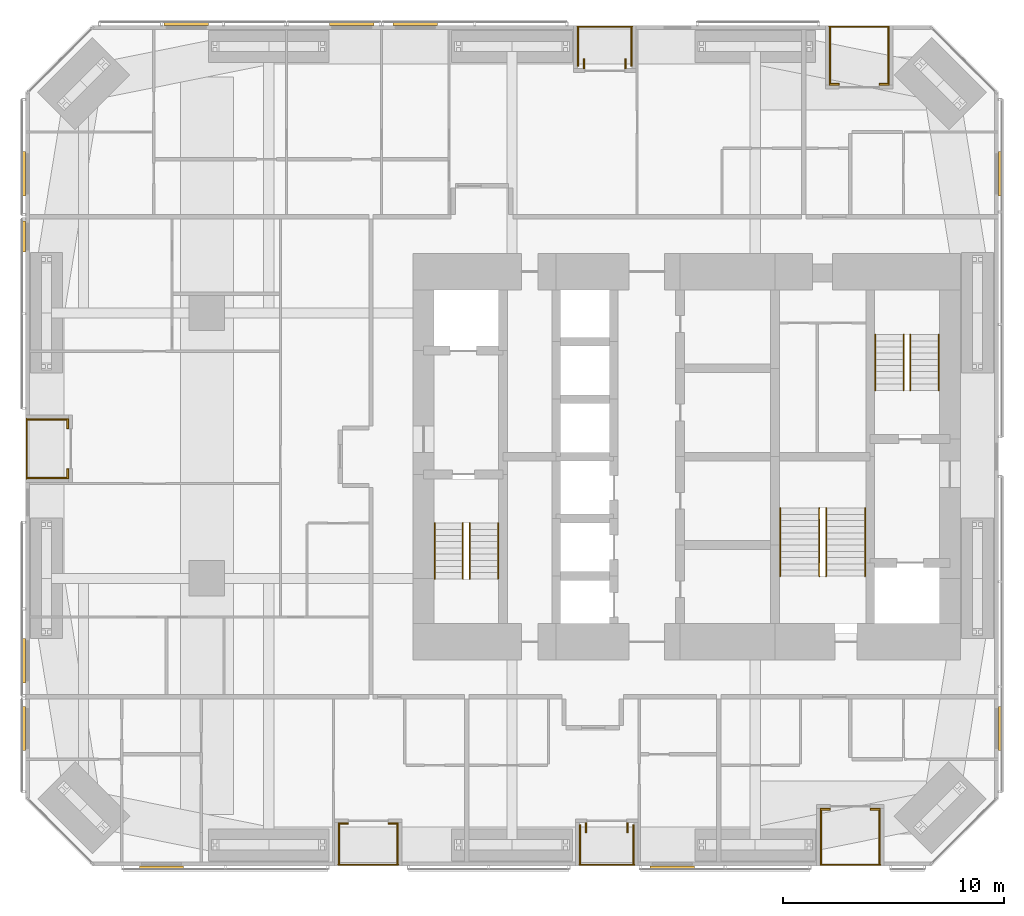
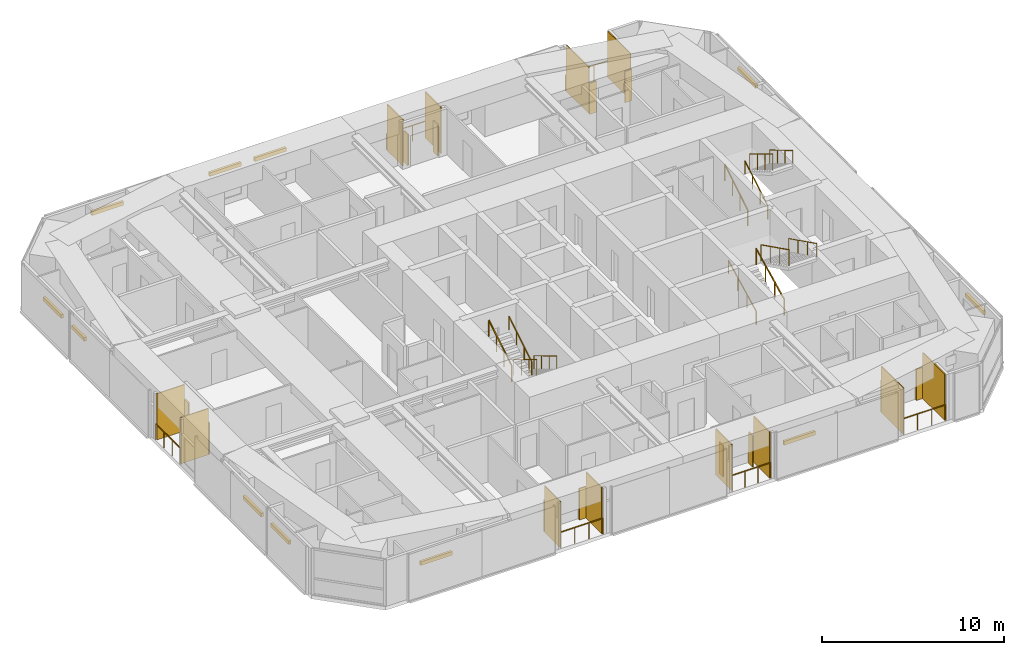
# One storey, part 23 of 23: 35 shading devices, 18 railings.
"""IFC4 building model written with IfcOpenShell, lengths in metres."""

from ifc_helpers import new_model, si_unit, direction, frame, origin, origin_2d, place, context, subcontext, project, spatial, rectangle, circle, extrude, material, layer, layer_set, constituent, constituent_set, type_object, element, save


model = new_model("IFC4")

# Units and contexts
model_context = context("Model", 3, precision=1e-05, world=origin(), true_north=direction((0.0, 1.0)))
body_context = subcontext(model_context, "Body", "Model", "MODEL_VIEW")
ifc_project = project(units=[si_unit("LENGTHUNIT", "METRE"), si_unit("AREAUNIT", "SQUARE_METRE"), si_unit("VOLUMEUNIT", "CUBIC_METRE"), si_unit("PLANEANGLEUNIT", "RADIAN"), si_unit("MASSUNIT", "GRAM", prefix="KILO")], contexts=[model_context])

# Site, building, storey
site_placement = place(None, origin())
site = spatial("IfcSite", under=ifc_project, at=site_placement, CompositionType="ELEMENT")
building_placement = place(site_placement, origin())
building = spatial("IfcBuilding", under=site, at=building_placement, Name="Jalousie Tower", CompositionType="ELEMENT")
storey_placement = place(building_placement, frame((0.0, 0.0, 24.35009765625)))
storey = spatial("IfcBuildingStorey", under=building, at=storey_placement, Name="L05", CompositionType="ELEMENT", Elevation=24.35009765625)

# Shading devices
ifc_material_1 = material(Name="Aluminium impact-rated louvred storm shutter", Category="aluminium")
shading_device_type_1 = type_object("IfcShadingDeviceType", Name="BI-FOLD STORM SHUTTER 900x2100", PredefinedType="SHUTTER", material=ifc_material_1)
for number, where, z_axis, x_axis, name in (
    (1, (16.375, 1.909912109375, -0.000244140625), (0.0, 0.0, 1.0), (1.0, 0.0, 0.0), "Loggia storm shutter L05"),
    (2, (18.625, 1.909912109375, -0.000244140625), (0.0, 0.0, 1.0), (1.0, 0.0, 0.0), "Loggia storm shutter L05"),
    (3, (27.347412109375, 1.72509765625, -0.000244140625), (0.0, 0.0, 1.0), (0.0, 1.0, 0.0), "Loggia storm shutter L05"),
    (4, (29.2275390625, 1.72509765625, -0.000244140625), (0.0, 0.0, 1.0), (0.0, 1.0, 0.0), "Loggia storm shutter L05"),
    (5, (38.175048828125, 2.56005859375, -0.000244140625), (0.0, 0.0, 1.0), (1.0, 0.0, 0.0), "Loggia storm shutter L05"),
    (6, (40.425048828125, 2.56005859375, -0.000244140625), (0.0, 0.0, 1.0), (1.0, 0.0, 0.0), "Loggia storm shutter L05"),
    (7, (40.82373046875, 35.340087890625, -0.000244140625), (0.0, 0.0, 1.0), (-1.0, 0.0, 0.0), "Loggia storm shutter L05"),
    (8, (38.57373046875, 35.340087890625, -0.000244140625), (0.0, 0.0, 1.0), (-1.0, 0.0, 0.0), "Loggia storm shutter L05"),
    (9, (29.1357421875, 36.27490234375, -0.000244140625), (0.0, 0.0, 1.0), (0.0, -1.0, 0.0), "Loggia storm shutter L05"),
    (10, (27.255615234375, 36.27490234375, -0.000244140625), (0.0, 0.0, 1.0), (0.0, -1.0, 0.0), "Loggia storm shutter L05"),
    (11, (3.909912109375, 19.987548828125, -0.000244140625), (0.0, 0.0, 1.0), (0.0, -1.0, 0.0), "Loggia storm shutter L05"),
    (12, (3.909912109375, 17.737548828125, -0.000244140625), (0.0, 0.0, 1.0), (0.0, -1.0, 0.0), "Loggia storm shutter L05"),
):
    element("IfcShadingDevice", number, at=place(storey_placement, frame(where, z_axis=z_axis, x_axis=x_axis)), inside=storey, type_object=shading_device_type_1, Name=name, PredefinedType="SHUTTER", context=body_context, shape_type="SweptSolid", body=[
        extrude(rectangle(XDim=0.449951171875, YDim=0.080078125, at=origin_2d()), origin(), (0.0, 0.0, 1.0), 2.10009765625),
    ])

# Railings
ifc_material_2 = material(Name="Powder-coated aluminium fretwork", Category="aluminium")
railing_type_1 = type_object("IfcRailingType", Name="FRETWORK BALUSTRADE 1100", PredefinedType="BALUSTRADE", material=ifc_material_2)
railing_1_placement = place(storey_placement, frame((16.14990234375, 0.050048828125, 0.0)))
element("IfcRailing", 13, at=railing_1_placement, inside=storey, type_object=railing_type_1, Name="Loggia fretwork balustrade L05", PredefinedType="BALUSTRADE", context=body_context, shape_type="SweptSolid", body=[
    extrude(rectangle(XDim=0.048095703125, YDim=0.048095703125, at=origin_2d()), frame((0.0, 0.0, 1.076171875), z_axis=(1.0, 0.0, 0.0), x_axis=(0.0, 1.0, 0.0)), (0.0, 0.0, 1.0), 2.7001953125),
    extrude(circle(Radius=0.02099609375, at=origin_2d()), origin(), (0.0, 0.0, 1.0), 1.052001953125),
    extrude(circle(Radius=0.02099609375, at=origin_2d()), frame((0.900146484375, 0.0, 0.0)), (0.0, 0.0, 1.0), 1.052001953125),
    extrude(circle(Radius=0.02099609375, at=origin_2d()), frame((1.800048828125, 0.0, 0.0)), (0.0, 0.0, 1.0), 1.052001953125),
    extrude(circle(Radius=0.02099609375, at=origin_2d()), frame((2.7001953125, 0.0, 0.0)), (0.0, 0.0, 1.0), 1.052001953125),
])
railing_2_placement = place(storey_placement, frame((27.050048828125, 0.050048828125, 0.0)))
element("IfcRailing", 14, at=railing_2_placement, inside=storey, type_object=railing_type_1, Name="Loggia fretwork balustrade L05", PredefinedType="BALUSTRADE", context=body_context, shape_type="SweptSolid", body=[
    extrude(rectangle(XDim=0.048095703125, YDim=0.048095703125, at=origin_2d()), frame((0.0, 0.0, 1.076171875), z_axis=(1.0, 0.0, 0.0), x_axis=(0.0, 1.0, 0.0)), (0.0, 0.0, 1.0), 2.474853515625),
    extrude(circle(Radius=0.02099609375, at=origin_2d()), origin(), (0.0, 0.0, 1.0), 1.052001953125),
    extrude(circle(Radius=0.02099609375, at=origin_2d()), frame((0.824951171875, 0.0, 0.0)), (0.0, 0.0, 1.0), 1.052001953125),
    extrude(circle(Radius=0.02099609375, at=origin_2d()), frame((1.64990234375, 0.0, 0.0)), (0.0, 0.0, 1.0), 1.052001953125),
    extrude(circle(Radius=0.02099609375, at=origin_2d()), frame((2.474853515625, 0.0, 0.0)), (0.0, 0.0, 1.0), 1.052001953125),
])
railing_3_placement = place(storey_placement, frame((37.949951171875, 0.050048828125, 0.0)))
element("IfcRailing", 15, at=railing_3_placement, inside=storey, type_object=railing_type_1, Name="Loggia fretwork balustrade L05", PredefinedType="BALUSTRADE", context=body_context, shape_type="SweptSolid", body=[
    extrude(rectangle(XDim=0.048095703125, YDim=0.048095703125, at=origin_2d()), frame((0.0, 0.0, 1.076171875), z_axis=(1.0, 0.0, 0.0), x_axis=(0.0, 1.0, 0.0)), (0.0, 0.0, 1.0), 2.699951171875),
    extrude(circle(Radius=0.02099609375, at=origin_2d()), origin(), (0.0, 0.0, 1.0), 1.052001953125),
    extrude(circle(Radius=0.02099609375, at=origin_2d()), frame((0.89990234375, 0.0, 0.0)), (0.0, 0.0, 1.0), 1.052001953125),
    extrude(circle(Radius=0.02099609375, at=origin_2d()), frame((1.800048828125, 0.0, 0.0)), (0.0, 0.0, 1.0), 1.052001953125),
    extrude(circle(Radius=0.02099609375, at=origin_2d()), frame((2.699951171875, 0.0, 0.0)), (0.0, 0.0, 1.0), 1.052001953125),
])
railing_4_placement = place(storey_placement, frame((41.048583984375, 37.949951171875, 0.0)))
element("IfcRailing", 16, at=railing_4_placement, inside=storey, type_object=railing_type_1, Name="Loggia fretwork balustrade L05", PredefinedType="BALUSTRADE", context=body_context, shape_type="SweptSolid", body=[
    extrude(rectangle(XDim=0.048095703125, YDim=0.048095703125, at=origin_2d()), frame((0.0, 0.0, 1.076171875), z_axis=(-1.0, 0.0, 0.0), x_axis=(0.0, -1.0, 0.0)), (0.0, 0.0, 1.0), 2.699951171875),
    extrude(circle(Radius=0.02099609375, at=origin_2d()), origin(), (0.0, 0.0, 1.0), 1.052001953125),
    extrude(circle(Radius=0.02099609375, at=origin_2d()), frame((-0.89990234375, 0.0, 0.0)), (0.0, 0.0, 1.0), 1.052001953125),
    extrude(circle(Radius=0.02099609375, at=origin_2d()), frame((-1.800048828125, 0.0, 0.0)), (0.0, 0.0, 1.0), 1.052001953125),
    extrude(circle(Radius=0.02099609375, at=origin_2d()), frame((-2.699951171875, 0.0, 0.0)), (0.0, 0.0, 1.0), 1.052001953125),
])
railing_5_placement = place(storey_placement, frame((29.43310546875, 37.949951171875, 0.0)))
element("IfcRailing", 17, at=railing_5_placement, inside=storey, type_object=railing_type_1, Name="Loggia fretwork balustrade L05", PredefinedType="BALUSTRADE", context=body_context, shape_type="SweptSolid", body=[
    extrude(rectangle(XDim=0.048095703125, YDim=0.048095703125, at=origin_2d()), frame((0.0, 0.0, 1.076171875), z_axis=(-1.0, 0.0, 0.0), x_axis=(0.0, -1.0, 0.0)), (0.0, 0.0, 1.0), 2.474853515625),
    extrude(circle(Radius=0.02099609375, at=origin_2d()), origin(), (0.0, 0.0, 1.0), 1.052001953125),
    extrude(circle(Radius=0.02099609375, at=origin_2d()), frame((-0.824951171875, 0.0, 0.0)), (0.0, 0.0, 1.0), 1.052001953125),
    extrude(circle(Radius=0.02099609375, at=origin_2d()), frame((-1.64990234375, 0.0, 0.0)), (0.0, 0.0, 1.0), 1.052001953125),
    extrude(circle(Radius=0.02099609375, at=origin_2d()), frame((-2.474853515625, 0.0, 0.0)), (0.0, 0.0, 1.0), 1.052001953125),
])
railing_6_placement = place(storey_placement, frame((2.050048828125, 20.216796875, 0.0)))
element("IfcRailing", 18, at=railing_6_placement, inside=storey, type_object=railing_type_1, Name="Loggia fretwork balustrade L05", PredefinedType="BALUSTRADE", context=body_context, shape_type="SweptSolid", body=[
    extrude(rectangle(XDim=0.048095703125, YDim=0.048095703125, at=origin_2d()), frame((0.0, 0.0, 1.076171875), z_axis=(0.0, -1.0, 0.0), x_axis=(1.0, 0.0, 0.0)), (0.0, 0.0, 1.0), 2.70849609375),
    extrude(circle(Radius=0.02099609375, at=origin_2d()), origin(), (0.0, 0.0, 1.0), 1.052001953125),
    extrude(circle(Radius=0.02099609375, at=origin_2d()), frame((0.0, -0.90283203125, 0.0)), (0.0, 0.0, 1.0), 1.052001953125),
    extrude(circle(Radius=0.02099609375, at=origin_2d()), frame((0.0, -1.8056640625, 0.0)), (0.0, 0.0, 1.0), 1.052001953125),
    extrude(circle(Radius=0.02099609375, at=origin_2d()), frame((0.0, -2.70849609375, 0.0)), (0.0, 0.0, 1.0), 1.052001953125),
])

# Shading devices
ifc_material_3 = material(Name="Powder-coated aluminium louvres", Category="aluminium")
ifc_layer = layer(ifc_material_3, 0.06005859375)
ifc_layer_set = layer_set([ifc_layer], Name="Powder-coated aluminium louvres")
shading_device_type_2 = type_object("IfcShadingDeviceType", Name="JALOUSIE LOUVRE SCREEN", PredefinedType="JALOUSIE", material=ifc_layer_set)
for number, where, z_axis, x_axis, name in (
    (19, (16.179931640625, 0.97509765625, 0.0), (0.0, 0.0, 1.0), (1.0, 0.0, 0.0), "Loggia jalousie louvre screen L05"),
    (20, (18.820068359375, 0.97509765625, 0.0), (0.0, 0.0, 1.0), (1.0, 0.0, 0.0), "Loggia jalousie louvre screen L05"),
    (21, (27.080078125, 0.97509765625, 0.0), (0.0, 0.0, 1.0), (1.0, 0.0, 0.0), "Loggia jalousie louvre screen L05"),
    (22, (29.4951171875, 0.97509765625, 0.0), (0.0, 0.0, 1.0), (1.0, 0.0, 0.0), "Loggia jalousie louvre screen L05"),
):
    element("IfcShadingDevice", number, at=place(storey_placement, frame(where, z_axis=z_axis, x_axis=x_axis)), inside=storey, type_object=shading_device_type_2, Name=name, PredefinedType="JALOUSIE", context=body_context, shape_type="SweptSolid", body=[
        extrude(rectangle(XDim=0.06005859375, YDim=1.75, at=origin_2d()), origin(), (0.0, 0.0, 1.0), 3.110107421875),
    ])
for number, where, z_axis, x_axis, name in (
    (23, (37.97998046875, 1.300048828125, 0.0), (0.0, 0.0, 1.0), (1.0, 0.0, 0.0), "Loggia jalousie louvre screen L05"),
    (24, (40.6201171875, 1.300048828125, 0.0), (0.0, 0.0, 1.0), (1.0, 0.0, 0.0), "Loggia jalousie louvre screen L05"),
):
    element("IfcShadingDevice", number, at=place(storey_placement, frame(where, z_axis=z_axis, x_axis=x_axis)), inside=storey, type_object=shading_device_type_2, Name=name, PredefinedType="JALOUSIE", context=body_context, shape_type="SweptSolid", body=[
        extrude(rectangle(XDim=0.06005859375, YDim=2.39990234375, at=origin_2d()), origin(), (0.0, 0.0, 1.0), 3.110107421875),
    ])
for number, where, z_axis, x_axis, name in (
    (25, (41.018798828125, 36.64990234375, 0.0), (0.0, 0.0, 1.0), (-1.0, 0.0, 0.0), "Loggia jalousie louvre screen L05"),
    (26, (38.378662109375, 36.64990234375, 0.0), (0.0, 0.0, 1.0), (-1.0, 0.0, 0.0), "Loggia jalousie louvre screen L05"),
):
    element("IfcShadingDevice", number, at=place(storey_placement, frame(where, z_axis=z_axis, x_axis=x_axis)), inside=storey, type_object=shading_device_type_2, Name=name, PredefinedType="JALOUSIE", context=body_context, shape_type="SweptSolid", body=[
        extrude(rectangle(XDim=0.06005859375, YDim=2.5, at=origin_2d()), origin(), (0.0, 0.0, 1.0), 3.110107421875),
    ])
for number, where, z_axis, x_axis, name in (
    (27, (29.4033203125, 37.02490234375, 0.0), (0.0, 0.0, 1.0), (-1.0, 0.0, 0.0), "Loggia jalousie louvre screen L05"),
    (28, (26.98828125, 37.02490234375, 0.0), (0.0, 0.0, 1.0), (-1.0, 0.0, 0.0), "Loggia jalousie louvre screen L05"),
    (29, (2.97509765625, 20.186767578125, 0.0), (0.0, 0.0, 1.0), (0.0, -1.0, 0.0), "Loggia jalousie louvre screen L05"),
    (30, (2.97509765625, 17.538330078125, 0.0), (0.0, 0.0, 1.0), (0.0, -1.0, 0.0), "Loggia jalousie louvre screen L05"),
):
    element("IfcShadingDevice", number, at=place(storey_placement, frame(where, z_axis=z_axis, x_axis=x_axis)), inside=storey, type_object=shading_device_type_2, Name=name, PredefinedType="JALOUSIE", context=body_context, shape_type="SweptSolid", body=[
        extrude(rectangle(XDim=0.06005859375, YDim=1.75, at=origin_2d()), origin(), (0.0, 0.0, 1.0), 3.110107421875),
    ])

# Railings
ifc_material_4 = material(Name="Steel ASTM A500 Grade C", Category="steel")
ifc_constituent_1 = constituent(ifc_material_4, Name="Body")
ifc_material_5 = material(Name="Hot-dip galvanised zinc coating")
ifc_constituent_2 = constituent(ifc_material_5, Name="Finish")
ifc_constituent_set_1 = constituent_set(constituents=[ifc_constituent_1, ifc_constituent_2])
railing_type_2 = type_object("IfcRailingType", Name="STAIR GUARD 1100", PredefinedType="GUARDRAIL", material=ifc_constituent_set_1)
railing_7_placement = place(storey_placement, frame((22.092529296875, 15.49755859375, 0.16748046875)))
element("IfcRailing", 31, at=railing_7_placement, inside=storey, type_object=railing_type_2, Name="Exit stair A guard L05 flight 1", PredefinedType="GUARDRAIL", context=body_context, shape_type="SweptSolid", body=[
    extrude(rectangle(XDim=0.048095703125, YDim=0.048095703125, at=origin_2d()), frame((0.0, 0.0, 1.076171875), z_axis=(0.0, -0.858196387827, 0.513321497621), x_axis=(1.0, 0.0, 0.0)), (0.0, 0.0, 1.0), 2.9365234375),
    extrude(circle(Radius=0.02099609375, at=origin_2d()), origin(), (0.0, 0.0, 1.0), 1.052001953125),
    extrude(circle(Radius=0.02099609375, at=origin_2d()), frame((0.0, -0.840087890625, 0.50244140625)), (0.0, 0.0, 1.0), 1.052001953125),
    extrude(circle(Radius=0.02099609375, at=origin_2d()), frame((0.0, -1.679931640625, 1.0048828125)), (0.0, 0.0, 1.0), 1.052001953125),
    extrude(circle(Radius=0.02099609375, at=origin_2d()), frame((0.0, -2.52001953125, 1.50732421875)), (0.0, 0.0, 1.0), 1.052001953125),
])
railing_8_placement = place(storey_placement, frame((20.5048828125, 12.9775390625, 1.84228515625)))
element("IfcRailing", 32, at=railing_8_placement, inside=storey, type_object=railing_type_2, Name="Exit stair A guard L05 flight 2", PredefinedType="GUARDRAIL", context=body_context, shape_type="SweptSolid", body=[
    extrude(rectangle(XDim=0.048095703125, YDim=0.048095703125, at=origin_2d()), frame((0.0, 0.0, 1.076171875), z_axis=(0.0, 0.858159760407, 0.513382728203), x_axis=(-1.0, 0.0, 0.0)), (0.0, 0.0, 1.0), 2.9365234375),
    extrude(circle(Radius=0.02099609375, at=origin_2d()), origin(), (0.0, 0.0, 1.0), 1.052001953125),
    extrude(circle(Radius=0.02099609375, at=origin_2d()), frame((0.0, 0.840087890625, 0.50244140625)), (0.0, 0.0, 1.0), 1.052001953125),
    extrude(circle(Radius=0.02099609375, at=origin_2d()), frame((0.0, 1.679931640625, 1.005126953125)), (0.0, 0.0, 1.0), 1.052001953125),
    extrude(circle(Radius=0.02099609375, at=origin_2d()), frame((0.0, 2.52001953125, 1.507568359375)), (0.0, 0.0, 1.0), 1.052001953125),
])
railing_9_placement = place(storey_placement, frame((40.43017578125, 21.50244140625, 0.16748046875)))
element("IfcRailing", 33, at=railing_9_placement, inside=storey, type_object=railing_type_2, Name="Exit stair B guard L05 flight 1", PredefinedType="GUARDRAIL", context=body_context, shape_type="SweptSolid", body=[
    extrude(rectangle(XDim=0.048095703125, YDim=0.048095703125, at=origin_2d()), frame((0.0, 0.0, 1.076171875), z_axis=(0.0, 0.858196387827, 0.513321497621), x_axis=(-1.0, 0.0, 0.0)), (0.0, 0.0, 1.0), 2.9365234375),
    extrude(circle(Radius=0.02099609375, at=origin_2d()), origin(), (0.0, 0.0, 1.0), 1.052001953125),
    extrude(circle(Radius=0.02099609375, at=origin_2d()), frame((0.0, 0.840087890625, 0.50244140625)), (0.0, 0.0, 1.0), 1.052001953125),
    extrude(circle(Radius=0.02099609375, at=origin_2d()), frame((0.0, 1.679931640625, 1.0048828125)), (0.0, 0.0, 1.0), 1.052001953125),
    extrude(circle(Radius=0.02099609375, at=origin_2d()), frame((0.0, 2.52001953125, 1.50732421875)), (0.0, 0.0, 1.0), 1.052001953125),
])
railing_10_placement = place(storey_placement, frame((42.017578125, 24.0224609375, 1.84228515625)))
element("IfcRailing", 34, at=railing_10_placement, inside=storey, type_object=railing_type_2, Name="Exit stair B guard L05 flight 2", PredefinedType="GUARDRAIL", context=body_context, shape_type="SweptSolid", body=[
    extrude(rectangle(XDim=0.048095703125, YDim=0.048095703125, at=origin_2d()), frame((0.0, 0.0, 1.076171875), z_axis=(0.0, -0.858159760407, 0.513382728203), x_axis=(1.0, 0.0, 0.0)), (0.0, 0.0, 1.0), 2.9365234375),
    extrude(circle(Radius=0.02099609375, at=origin_2d()), origin(), (0.0, 0.0, 1.0), 1.052001953125),
    extrude(circle(Radius=0.02099609375, at=origin_2d()), frame((0.0, -0.840087890625, 0.50244140625)), (0.0, 0.0, 1.0), 1.052001953125),
    extrude(circle(Radius=0.02099609375, at=origin_2d()), frame((0.0, -1.679931640625, 1.005126953125)), (0.0, 0.0, 1.0), 1.052001953125),
    extrude(circle(Radius=0.02099609375, at=origin_2d()), frame((0.0, -2.52001953125, 1.507568359375)), (0.0, 0.0, 1.0), 1.052001953125),
])
railing_11_placement = place(storey_placement, frame((37.89501953125, 13.097412109375, 0.139404296875)))
element("IfcRailing", 35, at=railing_11_placement, inside=storey, type_object=railing_type_2, Name="Exit stair C guard L05 flight 1", PredefinedType="GUARDRAIL", context=body_context, shape_type="SweptSolid", body=[
    extrude(rectangle(XDim=0.048095703125, YDim=0.048095703125, at=origin_2d()), frame((0.0, 0.0, 1.076171875), z_axis=(0.0, 0.894965676997, 0.446134998624), x_axis=(-1.0, 0.0, 0.0)), (0.0, 0.0, 1.0), 3.441650390625),
    extrude(circle(Radius=0.02099609375, at=origin_2d()), origin(), (0.0, 0.0, 1.0), 1.052001953125),
    extrude(circle(Radius=0.02099609375, at=origin_2d()), frame((0.0, 1.026611328125, 0.51171875)), (0.0, 0.0, 1.0), 1.052001953125),
    extrude(circle(Radius=0.02099609375, at=origin_2d()), frame((0.0, 2.053466796875, 1.023681640625)), (0.0, 0.0, 1.0), 1.052001953125),
    extrude(circle(Radius=0.02099609375, at=origin_2d()), frame((0.0, 3.080078125, 1.535400390625)), (0.0, 0.0, 1.0), 1.052001953125),
])
railing_12_placement = place(storey_placement, frame((38.205078125, 16.177490234375, 1.814453125)))
element("IfcRailing", 36, at=railing_12_placement, inside=storey, type_object=railing_type_2, Name="Exit stair C guard L05 flight 2", PredefinedType="GUARDRAIL", context=body_context, shape_type="SweptSolid", body=[
    extrude(rectangle(XDim=0.048095703125, YDim=0.048095703125, at=origin_2d()), frame((0.0, 0.0, 1.076171875), z_axis=(0.0, -0.894965676997, 0.446134998624), x_axis=(1.0, 0.0, 0.0)), (0.0, 0.0, 1.0), 3.441650390625),
    extrude(circle(Radius=0.02099609375, at=origin_2d()), origin(), (0.0, 0.0, 1.0), 1.052001953125),
    extrude(circle(Radius=0.02099609375, at=origin_2d()), frame((0.0, -1.026611328125, 0.51171875)), (0.0, 0.0, 1.0), 1.052001953125),
    extrude(circle(Radius=0.02099609375, at=origin_2d()), frame((0.0, -2.053466796875, 1.023681640625)), (0.0, 0.0, 1.0), 1.052001953125),
    extrude(circle(Radius=0.02099609375, at=origin_2d()), frame((0.0, -3.080078125, 1.535400390625)), (0.0, 0.0, 1.0), 1.052001953125),
])
ifc_material_6 = material(Name="Steel ASTM A500 Grade C", Category="steel")
ifc_constituent_3 = constituent(ifc_material_6, Name="Body")
ifc_material_7 = material(Name="Hot-dip galvanised zinc coating")
ifc_constituent_4 = constituent(ifc_material_7, Name="Finish")
ifc_constituent_set_2 = constituent_set(constituents=[ifc_constituent_3, ifc_constituent_4])
railing_type_3 = type_object("IfcRailingType", Name="STAIR HANDRAIL 900", PredefinedType="HANDRAIL", material=ifc_constituent_set_2)
railing_13_placement = place(storey_placement, frame((23.3701171875, 15.49755859375, 0.16748046875)))
element("IfcRailing", 37, at=railing_13_placement, inside=storey, type_object=railing_type_3, Name="Exit stair A handrail L05 flight 1", PredefinedType="HANDRAIL", context=body_context, shape_type="SweptSolid", body=[
    extrude(circle(Radius=0.02392578125, at=origin_2d()), frame((0.0, 0.0, 0.8759765625), z_axis=(0.0, -0.858196387827, 0.513321497621), x_axis=(1.0, 0.0, 0.0)), (0.0, 0.0, 1.0), 2.9365234375),
    extrude(circle(Radius=0.02099609375, at=origin_2d()), origin(), (0.0, 0.0, 1.0), 0.851806640625),
    extrude(circle(Radius=0.02099609375, at=origin_2d()), frame((0.0, -0.840087890625, 0.50244140625)), (0.0, 0.0, 1.0), 0.851806640625),
    extrude(circle(Radius=0.02099609375, at=origin_2d()), frame((0.0, -1.679931640625, 1.0048828125)), (0.0, 0.0, 1.0), 0.851806640625),
    extrude(circle(Radius=0.02099609375, at=origin_2d()), frame((0.0, -2.52001953125, 1.50732421875)), (0.0, 0.0, 1.0), 0.851806640625),
])
railing_14_placement = place(storey_placement, frame((21.78271484375, 12.9775390625, 1.84228515625)))
element("IfcRailing", 38, at=railing_14_placement, inside=storey, type_object=railing_type_3, Name="Exit stair A handrail L05 flight 2", PredefinedType="HANDRAIL", context=body_context, shape_type="SweptSolid", body=[
    extrude(circle(Radius=0.02392578125, at=origin_2d()), frame((0.0, 0.0, 0.8759765625), z_axis=(0.0, 0.858159760407, 0.513382728203), x_axis=(-1.0, 0.0, 0.0)), (0.0, 0.0, 1.0), 2.9365234375),
    extrude(circle(Radius=0.02099609375, at=origin_2d()), origin(), (0.0, 0.0, 1.0), 0.851806640625),
    extrude(circle(Radius=0.02099609375, at=origin_2d()), frame((0.0, 0.840087890625, 0.50244140625)), (0.0, 0.0, 1.0), 0.851806640625),
    extrude(circle(Radius=0.02099609375, at=origin_2d()), frame((0.0, 1.679931640625, 1.005126953125)), (0.0, 0.0, 1.0), 0.851806640625),
    extrude(circle(Radius=0.02099609375, at=origin_2d()), frame((0.0, 2.52001953125, 1.507568359375)), (0.0, 0.0, 1.0), 0.851806640625),
])
railing_15_placement = place(storey_placement, frame((41.70751953125, 21.50244140625, 0.16748046875)))
element("IfcRailing", 39, at=railing_15_placement, inside=storey, type_object=railing_type_3, Name="Exit stair B handrail L05 flight 1", PredefinedType="HANDRAIL", context=body_context, shape_type="SweptSolid", body=[
    extrude(circle(Radius=0.02392578125, at=origin_2d()), frame((0.0, 0.0, 0.8759765625), z_axis=(0.0, 0.858196387827, 0.513321497621), x_axis=(-1.0, 0.0, 0.0)), (0.0, 0.0, 1.0), 2.9365234375),
    extrude(circle(Radius=0.02099609375, at=origin_2d()), origin(), (0.0, 0.0, 1.0), 0.851806640625),
    extrude(circle(Radius=0.02099609375, at=origin_2d()), frame((0.0, 0.840087890625, 0.50244140625)), (0.0, 0.0, 1.0), 0.851806640625),
    extrude(circle(Radius=0.02099609375, at=origin_2d()), frame((0.0, 1.679931640625, 1.0048828125)), (0.0, 0.0, 1.0), 0.851806640625),
    extrude(circle(Radius=0.02099609375, at=origin_2d()), frame((0.0, 2.52001953125, 1.50732421875)), (0.0, 0.0, 1.0), 0.851806640625),
])
railing_16_placement = place(storey_placement, frame((43.294921875, 24.0224609375, 1.84228515625)))
element("IfcRailing", 40, at=railing_16_placement, inside=storey, type_object=railing_type_3, Name="Exit stair B handrail L05 flight 2", PredefinedType="HANDRAIL", context=body_context, shape_type="SweptSolid", body=[
    extrude(circle(Radius=0.02392578125, at=origin_2d()), frame((0.0, 0.0, 0.8759765625), z_axis=(0.0, -0.858159760407, 0.513382728203), x_axis=(1.0, 0.0, 0.0)), (0.0, 0.0, 1.0), 2.9365234375),
    extrude(circle(Radius=0.02099609375, at=origin_2d()), origin(), (0.0, 0.0, 1.0), 0.851806640625),
    extrude(circle(Radius=0.02099609375, at=origin_2d()), frame((0.0, -0.840087890625, 0.50244140625)), (0.0, 0.0, 1.0), 0.851806640625),
    extrude(circle(Radius=0.02099609375, at=origin_2d()), frame((0.0, -1.679931640625, 1.005126953125)), (0.0, 0.0, 1.0), 0.851806640625),
    extrude(circle(Radius=0.02099609375, at=origin_2d()), frame((0.0, -2.52001953125, 1.507568359375)), (0.0, 0.0, 1.0), 0.851806640625),
])
railing_17_placement = place(storey_placement, frame((36.1298828125, 13.097412109375, 0.139404296875)))
element("IfcRailing", 41, at=railing_17_placement, inside=storey, type_object=railing_type_3, Name="Exit stair C handrail L05 flight 1", PredefinedType="HANDRAIL", context=body_context, shape_type="SweptSolid", body=[
    extrude(circle(Radius=0.02392578125, at=origin_2d()), frame((0.0, 0.0, 0.8759765625), z_axis=(0.0, 0.894965676997, 0.446134998624), x_axis=(-1.0, 0.0, 0.0)), (0.0, 0.0, 1.0), 3.441650390625),
    extrude(circle(Radius=0.02099609375, at=origin_2d()), origin(), (0.0, 0.0, 1.0), 0.851806640625),
    extrude(circle(Radius=0.02099609375, at=origin_2d()), frame((0.0, 1.026611328125, 0.51171875)), (0.0, 0.0, 1.0), 0.851806640625),
    extrude(circle(Radius=0.02099609375, at=origin_2d()), frame((0.0, 2.053466796875, 1.023681640625)), (0.0, 0.0, 1.0), 0.851806640625),
    extrude(circle(Radius=0.02099609375, at=origin_2d()), frame((0.0, 3.080078125, 1.535400390625)), (0.0, 0.0, 1.0), 0.851806640625),
])
railing_18_placement = place(storey_placement, frame((39.969970703125, 16.177490234375, 1.814453125)))
element("IfcRailing", 42, at=railing_18_placement, inside=storey, type_object=railing_type_3, Name="Exit stair C handrail L05 flight 2", PredefinedType="HANDRAIL", context=body_context, shape_type="SweptSolid", body=[
    extrude(circle(Radius=0.02392578125, at=origin_2d()), frame((0.0, 0.0, 0.8759765625), z_axis=(0.0, -0.894965676997, 0.446134998624), x_axis=(1.0, 0.0, 0.0)), (0.0, 0.0, 1.0), 3.441650390625),
    extrude(circle(Radius=0.02099609375, at=origin_2d()), origin(), (0.0, 0.0, 1.0), 0.851806640625),
    extrude(circle(Radius=0.02099609375, at=origin_2d()), frame((0.0, -1.026611328125, 0.51171875)), (0.0, 0.0, 1.0), 0.851806640625),
    extrude(circle(Radius=0.02099609375, at=origin_2d()), frame((0.0, -2.053466796875, 1.023681640625)), (0.0, 0.0, 1.0), 0.851806640625),
    extrude(circle(Radius=0.02099609375, at=origin_2d()), frame((0.0, -3.080078125, 1.535400390625)), (0.0, 0.0, 1.0), 0.851806640625),
])

# Shading devices
ifc_material_8 = material(Name="Aluminium roller storm shutter", Category="aluminium")
shading_device_type_3 = type_object("IfcShadingDeviceType", Name="STORM SHUTTER HOUSING", PredefinedType="SHUTTER", material=ifc_material_8)
for number, where, z_axis, x_axis, name in (
    (43, (8.14990234375, -0.074951171875, 2.099853515625), (0.0, 0.0, 1.0), (1.0, 0.0, 0.0), "Storm shutter L05"),
    (44, (31.25, -0.074951171875, 2.099853515625), (0.0, 0.0, 1.0), (1.0, 0.0, 0.0), "Storm shutter L05"),
    (45, (46.074951171875, 6.208740234375, 2.099853515625), (0.0, 0.0, 1.0), (0.0, 1.0, 0.0), "Storm shutter L05"),
    (46, (46.074951171875, 31.291259765625, 2.099853515625), (0.0, 0.0, 1.0), (0.0, 1.0, 0.0), "Storm shutter L05"),
    (47, (19.625, 38.074951171875, 2.099853515625), (0.0, 0.0, 1.0), (-1.0, 0.0, 0.0), "Storm shutter L05"),
    (48, (16.757568359375, 38.074951171875, 2.099853515625), (0.0, 0.0, 1.0), (-1.0, 0.0, 0.0), "Storm shutter L05"),
    (49, (9.27001953125, 38.074951171875, 2.099853515625), (0.0, 0.0, 1.0), (-1.0, 0.0, 0.0), "Storm shutter L05"),
    (50, (1.925048828125, 31.291259765625, 2.099853515625), (0.0, 0.0, 1.0), (0.0, -1.0, 0.0), "Storm shutter L05"),
):
    element("IfcShadingDevice", number, at=place(storey_placement, frame(where, z_axis=z_axis, x_axis=x_axis)), inside=storey, type_object=shading_device_type_3, Name=name, PredefinedType="SHUTTER", context=body_context, shape_type="SweptSolid", body=[
        extrude(rectangle(XDim=2.0, YDim=0.14990234375, at=origin_2d()), origin(), (0.0, 0.0, 1.0), 0.25),
    ])
shading_device_placement = place(storey_placement, frame((1.925048828125, 28.449951171875, 2.099853515625), z_axis=(0.0, 0.0, 1.0), x_axis=(0.0, -1.0, 0.0)))
element("IfcShadingDevice", 51, at=shading_device_placement, inside=storey, type_object=shading_device_type_3, Name="Storm shutter L05", PredefinedType="SHUTTER", context=body_context, shape_type="SweptSolid", body=[
    extrude(rectangle(XDim=1.39990234375, YDim=0.14990234375, at=origin_2d()), origin(), (0.0, 0.0, 1.0), 0.25),
])
for number, where, z_axis, x_axis, name in (
    (52, (1.925048828125, 9.27490234375, 2.099853515625), (0.0, 0.0, 1.0), (0.0, -1.0, 0.0), "Storm shutter L05"),
    (53, (1.925048828125, 6.208740234375, 2.099853515625), (0.0, 0.0, 1.0), (0.0, -1.0, 0.0), "Storm shutter L05"),
):
    element("IfcShadingDevice", number, at=place(storey_placement, frame(where, z_axis=z_axis, x_axis=x_axis)), inside=storey, type_object=shading_device_type_3, Name=name, PredefinedType="SHUTTER", context=body_context, shape_type="SweptSolid", body=[
        extrude(rectangle(XDim=2.0, YDim=0.14990234375, at=origin_2d()), origin(), (0.0, 0.0, 1.0), 0.25),
    ])

save(model, "model.ifc")
